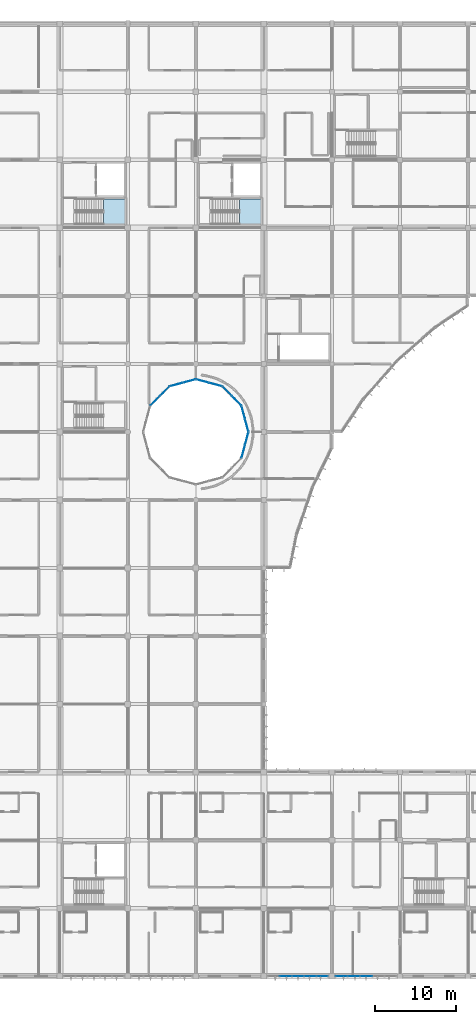
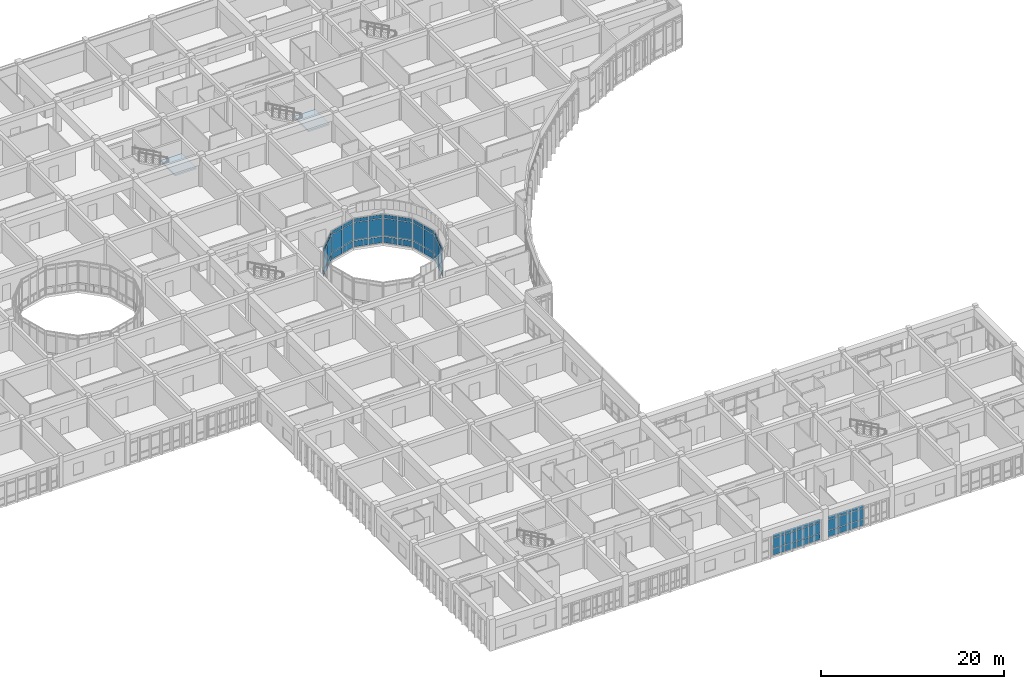
# One storey, part 68 of 119: 57 plates, 2 slabs, 10 elements without a shape of their own.
"""IFC4 building model written with IfcOpenShell, lengths in metres."""

import ifcopenshell
import ifcopenshell.guid

model = None  # the IFC model being written
_history = None  # IfcOwnerHistory: only IFC2X3 demands one
_inside = {}  # id of a spatial element -> (the spatial element, [elements in it])
_under = {}  # id of a project, library or spatial element -> (it, [spatial elements below it])
_declared = {}  # id of a project -> (the project, [libraries it declares])
_typed = {}  # id of a type object -> (the type object, [elements of that type])
_made_of = {}  # id of a material, layer set ... -> (it, [elements and type objects made of it])


def new_model(schema):
    """Start an empty IFC model of exactly this schema.

    Asked for "IFC4X3", IfcOpenShell would pick the latest addendum, in which some entities
    have other attributes; the version numbers below select the first issue.
    IFC2X3 requires an IfcOwnerHistory on every rooted entity: one is made here for all.
    """
    global model, _history
    if schema == "IFC4X3":
        model = ifcopenshell.file(schema_version=(4, 3, 0, 0))
    else:
        model = ifcopenshell.file(schema=schema)
    _inside.clear()
    _under.clear()
    _declared.clear()
    _typed.clear()
    _made_of.clear()
    _history = None
    if model.schema == "IFC2X3":
        org = make("IfcOrganization", Name="unknown")
        user = make(
            "IfcPersonAndOrganization",
            ThePerson=make("IfcPerson", FamilyName="unknown"),
            TheOrganization=org,
        )
        app = make(
            "IfcApplication",
            ApplicationDeveloper=org,
            Version="unknown",
            ApplicationFullName="unknown",
            ApplicationIdentifier="unknown",
        )
        _history = make(
            "IfcOwnerHistory",
            OwningUser=user,
            OwningApplication=app,
            ChangeAction="ADDED",
            CreationDate=0,
        )
    return model


def make(cls, **values):
    """One entity of the class cls with the attributes given. An attribute that is None is left unset."""
    return model.create_entity(
        cls, **{name: value for name, value in values.items() if value is not None}
    )


def rooted(cls, **values):
    """An entity with a GlobalId (a new one), such as an element, a storey or a relation."""
    return make(cls, GlobalId=ifcopenshell.guid.new(), OwnerHistory=_history, **values)


def si_unit(unit_type, name, prefix=None):
    """IfcSIUnit, for example si_unit("LENGTHUNIT", "METRE", prefix="MILLI")."""
    return make("IfcSIUnit", UnitType=unit_type, Prefix=prefix, Name=name)


def assignment(units):
    """IfcUnitAssignment: the units of a project."""
    return None if units is None else make("IfcUnitAssignment", Units=units)


def point(xyz):
    """IfcCartesianPoint."""
    return None if xyz is None else make("IfcCartesianPoint", Coordinates=xyz)


def direction(xyz):
    """IfcDirection."""
    return None if xyz is None else make("IfcDirection", DirectionRatios=xyz)


def frame(location, z_axis=None, x_axis=None):
    """IfcAxis2Placement3D, a coordinate frame: its origin and axes. An axis left out is left unset."""
    return make(
        "IfcAxis2Placement3D",
        Location=point(location),
        Axis=direction(z_axis),
        RefDirection=direction(x_axis),
    )


def frame_2d(location, x_axis=None):
    """IfcAxis2Placement2D, a coordinate frame in the plane: its origin and x axis."""
    return make(
        "IfcAxis2Placement2D", Location=point(location), RefDirection=direction(x_axis)
    )


def origin():
    """The frame at (0, 0, 0) with its axes left unset."""
    return frame((0.0, 0.0, 0.0))


def origin_2d():
    """The frame at (0, 0) in the plane with its x axis left unset."""
    return frame_2d((0.0, 0.0))


def place(relative_to, where):
    """IfcLocalPlacement: puts the frame where relative to a parent placement (None: the world)."""
    return make(
        "IfcLocalPlacement", PlacementRelTo=relative_to, RelativePlacement=where
    )


def context(
    kind, dimensions, precision=None, world=None, true_north=None, identifier=None
):
    """IfcGeometricRepresentationContext, for example the 3D "Model" context."""
    return make(
        "IfcGeometricRepresentationContext",
        ContextIdentifier=identifier,
        ContextType=kind,
        CoordinateSpaceDimension=dimensions,
        Precision=precision,
        WorldCoordinateSystem=world,
        TrueNorth=true_north,
    )


def subcontext(parent, identifier, kind, view, scale=None):
    """IfcGeometricRepresentationSubContext, for example "Body" below "Model"."""
    return make(
        "IfcGeometricRepresentationSubContext",
        ContextIdentifier=identifier,
        ContextType=kind,
        ParentContext=parent,
        TargetScale=scale,
        TargetView=view,
    )


def project(units=None, contexts=None):
    """IfcProject with its units and contexts."""
    return rooted(
        "IfcProject",
        Name="project",
        RepresentationContexts=contexts,
        UnitsInContext=assignment(units),
    )


def spatial(cls, under=None, at=None, **own):
    """A site, building, storey or space (cls), placed at a placement, below another one or the project."""
    s = rooted(cls, ObjectPlacement=at, **own)
    if under is not None:
        _under.setdefault(under.id(), (under, []))[1].append(s)
    return s


def polyline(points):
    """IfcPolyline through the points."""
    return make("IfcPolyline", Points=[point(p) for p in points])


def profile(cls, at=None, kind="AREA", **sizes):
    """A parametric profile (cls). Its sizes go by their IFC names, for example OverallWidth=200.0."""
    return make(cls, ProfileType=kind, Position=at, **sizes)


def rectangle(**sizes):
    """IfcRectangleProfileDef."""
    return profile("IfcRectangleProfileDef", **sizes)


def outline(outer, holes=None, kind="AREA"):
    """IfcArbitraryClosedProfileDef: a profile drawn as a closed curve; with holes, ...WithVoids."""
    if holes is None:
        return make("IfcArbitraryClosedProfileDef", ProfileType=kind, OuterCurve=outer)
    return make(
        "IfcArbitraryProfileDefWithVoids",
        ProfileType=kind,
        OuterCurve=outer,
        InnerCurves=holes,
    )


def extrude(swept, where, along, depth):
    """IfcExtrudedAreaSolid: the profile swept, set in the frame where, extruded along a direction by depth."""
    return make(
        "IfcExtrudedAreaSolid",
        SweptArea=swept,
        Position=where,
        ExtrudedDirection=direction(along),
        Depth=depth,
    )


def shape(context_of_items, identifier, shape_type, items):
    """IfcShapeRepresentation: the items that make up one representation, for example the "Body"."""
    return make(
        "IfcShapeRepresentation",
        ContextOfItems=context_of_items,
        RepresentationIdentifier=identifier,
        RepresentationType=shape_type,
        Items=items,
    )


def material(Name=None, Category=None):
    """IfcMaterial."""
    return make("IfcMaterial", Name=Name, Category=Category)


def layer(
    of_material, thickness, ventilated=None, Name=None, Category=None, Priority=None
):
    """IfcMaterialLayer: one layer of a wall or slab, of a material (None: an air gap)."""
    return make(
        "IfcMaterialLayer",
        Material=of_material,
        LayerThickness=thickness,
        IsVentilated=ventilated,
        Name=Name,
        Category=Category,
        Priority=Priority,
    )


def layer_set(layers, Name=None):
    """IfcMaterialLayerSet."""
    return make("IfcMaterialLayerSet", MaterialLayers=layers, LayerSetName=Name)


def made_of(thing, what):
    """Note that an element or type object is made of a material, layer set ...; save() writes the relation."""
    if what is not None:
        _made_of.setdefault(what.id(), (what, []))[1].append(thing)
    return thing


def type_object(cls, material=None, **own):
    """A type object (cls), such as IfcWallType, which elements share."""
    return made_of(rooted(cls, **own), material)


def element(
    cls,
    number,
    at=None,
    inside=None,
    cuts=None,
    type_object=None,
    material=None,
    context=None,
    identifier="Body",
    shape_type=None,
    held_by="IfcProductDefinitionShape",
    body=None,
    shapes=None,
    **own,
):
    """One element of the class cls, such as IfcWall. Its Tag is "e" and its number.

    at: its placement. inside: the storey or other place that contains it. cuts: it is an
    opening in that element (IfcRelVoidsElement). A single representation is given by context,
    identifier, shape_type and body (its items); several are given by shapes. held_by: the class
    of the entity that holds the representations. save() writes the other relations.
    """
    e = rooted(cls, Tag="e%d" % number, ObjectPlacement=at, **own)
    if body is not None:
        shapes = [shape(context, identifier, shape_type, body)]
    if shapes is not None:
        e.Representation = make(held_by, Representations=shapes)
    if inside is not None:
        _inside.setdefault(inside.id(), (inside, []))[1].append(e)
    if cuts is not None:
        rooted(
            "IfcRelVoidsElement", RelatingBuildingElement=cuts, RelatedOpeningElement=e
        )
    if type_object is not None:
        _typed.setdefault(type_object.id(), (type_object, []))[1].append(e)
    return made_of(e, material)


def aggregate(whole, parts):
    """IfcRelAggregates: a whole, such as a stair, and the parts it consists of."""
    return rooted("IfcRelAggregates", RelatingObject=whole, RelatedObjects=parts)


def save(model, path):
    """Write the relations noted so far, then the file.

    IfcRelAggregates (storeys below a building ...), IfcRelContainedInSpatialStructure (elements
    in a storey), IfcRelDefinesByType, IfcRelAssociatesMaterial and IfcRelDeclares: one each for
    every whole, place, type object, material and project.
    """
    for whole, parts in _under.values():
        aggregate(whole, parts)
    for where, things in _inside.values():
        rooted(
            "IfcRelContainedInSpatialStructure",
            RelatedElements=things,
            RelatingStructure=where,
        )
    for kind, things in _typed.values():
        rooted("IfcRelDefinesByType", RelatedObjects=things, RelatingType=kind)
    for what, things in _made_of.values():
        rooted("IfcRelAssociatesMaterial", RelatedObjects=things, RelatingMaterial=what)
    for by, libraries in _declared.values():
        rooted("IfcRelDeclares", RelatingContext=by, RelatedDefinitions=libraries)
    model.write(path)


model = new_model("IFC4")

# Units and contexts
model_context = context("Model", 3, precision=1e-05, world=origin(), true_north=direction((0.0, 1.0)))
body_context = subcontext(model_context, "Body", "Model", "MODEL_VIEW")
ifc_project = project(units=[si_unit("LENGTHUNIT", "METRE"), si_unit("AREAUNIT", "SQUARE_METRE"), si_unit("VOLUMEUNIT", "CUBIC_METRE"), si_unit("PLANEANGLEUNIT", "RADIAN"), si_unit("MASSUNIT", "GRAM", prefix="KILO")], contexts=[model_context])

# Site, building, storey
site_placement = place(None, origin())
site = spatial("IfcSite", under=ifc_project, at=site_placement, CompositionType="ELEMENT")
building_placement = place(site_placement, origin())
building = spatial("IfcBuilding", under=site, at=building_placement, Name="Bramfleet General Hospital", CompositionType="ELEMENT")
storey_placement = place(building_placement, frame((0.0, 0.0, 14.39990234375)))
storey = spatial("IfcBuildingStorey", under=building, at=storey_placement, Name="L03", CompositionType="ELEMENT", Elevation=14.39990234375)

# Curtain wall, plates
ifc_material_1 = material(Name="Anodised aluminium and low-E triple glazing", Category="aluminium")
ifc_layer_1 = layer(ifc_material_1, 0.179931640625, Name="CWT-CW-14")
ifc_layer_set_1 = layer_set([ifc_layer_1], Name="Anodised aluminium and low-E triple glazing")
curtain_wall_type_1 = type_object("IfcCurtainWallType", Name="CWT-CW-14", PredefinedType="USERDEFINED", material=ifc_layer_set_1)
curtain_wall_1_placement = place(storey_placement, origin())
curtain_wall_1 = element("IfcCurtainWall", 1, at=curtain_wall_1_placement, inside=storey, type_object=curtain_wall_type_1, Name="L03 East Laboratory Light Court Curtain Wall 6.1", ObjectType="Stick curtain wall", PredefinedType="USERDEFINED")
ifc_material_2 = material(Name="Low-E laminated safety glass", Category="glass")
ifc_layer_2 = layer(ifc_material_2, 0.031982421875, Name="CWP-GLZ-2")
ifc_layer_set_2 = layer_set([ifc_layer_2], Name="Low-E laminated safety glass")
plate_type_1 = type_object("IfcPlateType", Name="CWP-GLZ-2", PredefinedType="CURTAIN_PANEL", material=ifc_layer_set_2)
plate_1_placement = place(storey_placement, frame((123.451171875, 64.779296875, 0.06494140625), z_axis=(0.0, 0.0, 1.0), x_axis=(0.258864833085, 0.965913556273, 0.0)))
plate_1 = element("IfcPlate", 2, at=plate_1_placement, type_object=plate_type_1, Name="CW-14 panel 1.1", PredefinedType="CURTAIN_PANEL", context=body_context, shape_type="SweptSolid", body=[
    extrude(rectangle(XDim=1.577392578125, YDim=0.031982421875, at=origin_2d()), origin(), (0.0, 0.0, 1.0), 0.802490234375),
])
plate_2_placement = place(storey_placement, frame((123.451171875, 64.779296875, 0.9326171875), z_axis=(0.0, 0.0, 1.0), x_axis=(0.258864833085, 0.965913556273, 0.0)))
plate_2 = element("IfcPlate", 3, at=plate_2_placement, type_object=plate_type_1, Name="CW-14 panel 1.2", PredefinedType="CURTAIN_PANEL", context=body_context, shape_type="SweptSolid", body=[
    extrude(rectangle(XDim=1.577392578125, YDim=0.031982421875, at=origin_2d()), origin(), (0.0, 0.0, 1.0), 2.375),
])
plate_3_placement = place(storey_placement, frame((123.451171875, 64.779296875, 3.37255859375), z_axis=(0.0, 0.0, 1.0), x_axis=(0.258864833085, 0.965913556273, 0.0)))
plate_3 = element("IfcPlate", 4, at=plate_3_placement, type_object=plate_type_1, Name="CW-14 panel 1.3", PredefinedType="CURTAIN_PANEL", context=body_context, shape_type="SweptSolid", body=[
    extrude(rectangle(XDim=1.577392578125, YDim=0.031982421875, at=origin_2d()), origin(), (0.0, 0.0, 1.0), 0.452392578125),
])
plate_4_placement = place(storey_placement, frame((123.877685546875, 66.37060546875, 0.06494140625), z_axis=(0.0, 0.0, 1.0), x_axis=(0.258864833085, 0.965913556273, 0.0)))
plate_4 = element("IfcPlate", 5, at=plate_4_placement, type_object=plate_type_1, Name="CW-14 panel 2.1", PredefinedType="CURTAIN_PANEL", context=body_context, shape_type="SweptSolid", body=[
    extrude(rectangle(XDim=1.577392578125, YDim=0.031982421875, at=origin_2d()), origin(), (0.0, 0.0, 1.0), 0.802490234375),
])
plate_5_placement = place(storey_placement, frame((123.877685546875, 66.37060546875, 0.9326171875), z_axis=(0.0, 0.0, 1.0), x_axis=(0.258864833085, 0.965913556273, 0.0)))
plate_5 = element("IfcPlate", 6, at=plate_5_placement, type_object=plate_type_1, Name="CW-14 panel 2.2", PredefinedType="CURTAIN_PANEL", context=body_context, shape_type="SweptSolid", body=[
    extrude(rectangle(XDim=1.577392578125, YDim=0.031982421875, at=origin_2d()), origin(), (0.0, 0.0, 1.0), 2.375),
])
plate_6_placement = place(storey_placement, frame((123.877685546875, 66.37060546875, 3.37255859375), z_axis=(0.0, 0.0, 1.0), x_axis=(0.258864833085, 0.965913556273, 0.0)))
plate_6 = element("IfcPlate", 7, at=plate_6_placement, type_object=plate_type_1, Name="CW-14 panel 2.3", PredefinedType="CURTAIN_PANEL", context=body_context, shape_type="SweptSolid", body=[
    extrude(rectangle(XDim=1.577392578125, YDim=0.031982421875, at=origin_2d()), origin(), (0.0, 0.0, 1.0), 0.452392578125),
])
aggregate(curtain_wall_1, [plate_1, plate_2, plate_3, plate_4, plate_5, plate_6])

ifc_layer_3 = layer(ifc_material_1, 0.179931640625, Name="CWT-CW-15")
ifc_layer_set_3 = layer_set([ifc_layer_3], Name="Anodised aluminium and low-E triple glazing")
curtain_wall_type_2 = type_object("IfcCurtainWallType", Name="CWT-CW-15", PredefinedType="USERDEFINED", material=ifc_layer_set_3)
curtain_wall_2_placement = place(storey_placement, origin())
curtain_wall_2 = element("IfcCurtainWall", 8, at=curtain_wall_2_placement, inside=storey, type_object=curtain_wall_type_2, Name="L03 East Laboratory Light Court Curtain Wall 7.1", ObjectType="Stick curtain wall", PredefinedType="USERDEFINED")
plate_7_placement = place(storey_placement, frame((123.877685546875, 68.029296875, 0.06494140625), z_axis=(0.0, 0.0, 1.0), x_axis=(-0.258864833085, 0.965913556273, 0.0)))
plate_7 = element("IfcPlate", 9, at=plate_7_placement, type_object=plate_type_1, Name="CW-15 panel 1.1", PredefinedType="CURTAIN_PANEL", context=body_context, shape_type="SweptSolid", body=[
    extrude(rectangle(XDim=1.577392578125, YDim=0.031982421875, at=origin_2d()), origin(), (0.0, 0.0, 1.0), 0.802490234375),
])
plate_8_placement = place(storey_placement, frame((123.877685546875, 68.029296875, 0.9326171875), z_axis=(0.0, 0.0, 1.0), x_axis=(-0.258864833085, 0.965913556273, 0.0)))
plate_8 = element("IfcPlate", 10, at=plate_8_placement, type_object=plate_type_1, Name="CW-15 panel 1.2", PredefinedType="CURTAIN_PANEL", context=body_context, shape_type="SweptSolid", body=[
    extrude(rectangle(XDim=1.577392578125, YDim=0.031982421875, at=origin_2d()), origin(), (0.0, 0.0, 1.0), 2.375),
])
plate_9_placement = place(storey_placement, frame((123.877685546875, 68.029296875, 3.37255859375), z_axis=(0.0, 0.0, 1.0), x_axis=(-0.258864833085, 0.965913556273, 0.0)))
plate_9 = element("IfcPlate", 11, at=plate_9_placement, type_object=plate_type_1, Name="CW-15 panel 1.3", PredefinedType="CURTAIN_PANEL", context=body_context, shape_type="SweptSolid", body=[
    extrude(rectangle(XDim=1.577392578125, YDim=0.031982421875, at=origin_2d()), origin(), (0.0, 0.0, 1.0), 0.452392578125),
])
plate_10_placement = place(storey_placement, frame((123.451171875, 69.62060546875, 0.06494140625), z_axis=(0.0, 0.0, 1.0), x_axis=(-0.258864833085, 0.965913556273, 0.0)))
plate_10 = element("IfcPlate", 12, at=plate_10_placement, type_object=plate_type_1, Name="CW-15 panel 2.1", PredefinedType="CURTAIN_PANEL", context=body_context, shape_type="SweptSolid", body=[
    extrude(rectangle(XDim=1.577392578125, YDim=0.031982421875, at=origin_2d()), origin(), (0.0, 0.0, 1.0), 0.802490234375),
])
plate_11_placement = place(storey_placement, frame((123.451171875, 69.62060546875, 0.9326171875), z_axis=(0.0, 0.0, 1.0), x_axis=(-0.258864833085, 0.965913556273, 0.0)))
plate_11 = element("IfcPlate", 13, at=plate_11_placement, type_object=plate_type_1, Name="CW-15 panel 2.2", PredefinedType="CURTAIN_PANEL", context=body_context, shape_type="SweptSolid", body=[
    extrude(rectangle(XDim=1.577392578125, YDim=0.031982421875, at=origin_2d()), origin(), (0.0, 0.0, 1.0), 2.375),
])
plate_12_placement = place(storey_placement, frame((123.451171875, 69.62060546875, 3.37255859375), z_axis=(0.0, 0.0, 1.0), x_axis=(-0.258864833085, 0.965913556273, 0.0)))
plate_12 = element("IfcPlate", 14, at=plate_12_placement, type_object=plate_type_1, Name="CW-15 panel 2.3", PredefinedType="CURTAIN_PANEL", context=body_context, shape_type="SweptSolid", body=[
    extrude(rectangle(XDim=1.577392578125, YDim=0.031982421875, at=origin_2d()), origin(), (0.0, 0.0, 1.0), 0.452392578125),
])
aggregate(curtain_wall_2, [plate_7, plate_8, plate_9, plate_10, plate_11, plate_12])

ifc_layer_4 = layer(ifc_material_1, 0.179931640625, Name="CWT-CW-16")
ifc_layer_set_4 = layer_set([ifc_layer_4], Name="Anodised aluminium and low-E triple glazing")
curtain_wall_type_3 = type_object("IfcCurtainWallType", Name="CWT-CW-16", PredefinedType="USERDEFINED", material=ifc_layer_set_4)
curtain_wall_3_placement = place(storey_placement, origin())
curtain_wall_3 = element("IfcCurtainWall", 15, at=curtain_wall_3_placement, inside=storey, type_object=curtain_wall_type_3, Name="L03 East Laboratory Light Court Curtain Wall 8.1", ObjectType="Stick curtain wall", PredefinedType="USERDEFINED")
plate_13_placement = place(storey_placement, frame((122.621826171875, 71.05712890625, 0.06494140625), z_axis=(0.0, 0.0, 1.0), x_axis=(-0.707106781187, 0.707106781187, 0.0)))
plate_13 = element("IfcPlate", 16, at=plate_13_placement, type_object=plate_type_1, Name="CW-16 panel 1.1", PredefinedType="CURTAIN_PANEL", context=body_context, shape_type="SweptSolid", body=[
    extrude(rectangle(XDim=1.5771484375, YDim=0.031982421875, at=origin_2d()), origin(), (0.0, 0.0, 1.0), 0.802490234375),
])
plate_14_placement = place(storey_placement, frame((122.621826171875, 71.05712890625, 0.9326171875), z_axis=(0.0, 0.0, 1.0), x_axis=(-0.707106781187, 0.707106781187, 0.0)))
plate_14 = element("IfcPlate", 17, at=plate_14_placement, type_object=plate_type_1, Name="CW-16 panel 1.2", PredefinedType="CURTAIN_PANEL", context=body_context, shape_type="SweptSolid", body=[
    extrude(rectangle(XDim=1.5771484375, YDim=0.031982421875, at=origin_2d()), origin(), (0.0, 0.0, 1.0), 2.375),
])
plate_15_placement = place(storey_placement, frame((122.621826171875, 71.05712890625, 3.37255859375), z_axis=(0.0, 0.0, 1.0), x_axis=(-0.707106781187, 0.707106781187, 0.0)))
plate_15 = element("IfcPlate", 18, at=plate_15_placement, type_object=plate_type_1, Name="CW-16 panel 1.3", PredefinedType="CURTAIN_PANEL", context=body_context, shape_type="SweptSolid", body=[
    extrude(rectangle(XDim=1.5771484375, YDim=0.031982421875, at=origin_2d()), origin(), (0.0, 0.0, 1.0), 0.452392578125),
])
plate_16_placement = place(storey_placement, frame((121.45703125, 72.221923828125, 0.06494140625), z_axis=(0.0, 0.0, 1.0), x_axis=(-0.707106781187, 0.707106781187, 0.0)))
plate_16 = element("IfcPlate", 19, at=plate_16_placement, type_object=plate_type_1, Name="CW-16 panel 2.1", PredefinedType="CURTAIN_PANEL", context=body_context, shape_type="SweptSolid", body=[
    extrude(rectangle(XDim=1.5771484375, YDim=0.031982421875, at=origin_2d()), origin(), (0.0, 0.0, 1.0), 0.802490234375),
])
plate_17_placement = place(storey_placement, frame((121.45703125, 72.221923828125, 0.9326171875), z_axis=(0.0, 0.0, 1.0), x_axis=(-0.707106781187, 0.707106781187, 0.0)))
plate_17 = element("IfcPlate", 20, at=plate_17_placement, type_object=plate_type_1, Name="CW-16 panel 2.2", PredefinedType="CURTAIN_PANEL", context=body_context, shape_type="SweptSolid", body=[
    extrude(rectangle(XDim=1.5771484375, YDim=0.031982421875, at=origin_2d()), origin(), (0.0, 0.0, 1.0), 2.375),
])
plate_18_placement = place(storey_placement, frame((121.45703125, 72.221923828125, 3.37255859375), z_axis=(0.0, 0.0, 1.0), x_axis=(-0.707106781187, 0.707106781187, 0.0)))
plate_18 = element("IfcPlate", 21, at=plate_18_placement, type_object=plate_type_1, Name="CW-16 panel 2.3", PredefinedType="CURTAIN_PANEL", context=body_context, shape_type="SweptSolid", body=[
    extrude(rectangle(XDim=1.5771484375, YDim=0.031982421875, at=origin_2d()), origin(), (0.0, 0.0, 1.0), 0.452392578125),
])
aggregate(curtain_wall_3, [plate_13, plate_14, plate_15, plate_16, plate_17, plate_18])

ifc_layer_5 = layer(ifc_material_1, 0.179931640625, Name="CWT-CW-17")
ifc_layer_set_5 = layer_set([ifc_layer_5], Name="Anodised aluminium and low-E triple glazing")
curtain_wall_type_4 = type_object("IfcCurtainWallType", Name="CWT-CW-17", PredefinedType="USERDEFINED", material=ifc_layer_set_5)
curtain_wall_4_placement = place(storey_placement, origin())
curtain_wall_4 = element("IfcCurtainWall", 22, at=curtain_wall_4_placement, inside=storey, type_object=curtain_wall_type_4, Name="L03 East Laboratory Light Court Curtain Wall 9.1", ObjectType="Stick curtain wall", PredefinedType="USERDEFINED")
plate_19_placement = place(storey_placement, frame((120.0205078125, 73.05126953125, 0.06494140625), z_axis=(0.0, 0.0, 1.0), x_axis=(-0.965913556273, 0.258864833085, 0.0)))
plate_19 = element("IfcPlate", 23, at=plate_19_placement, type_object=plate_type_1, Name="CW-17 panel 1.1", PredefinedType="CURTAIN_PANEL", context=body_context, shape_type="SweptSolid", body=[
    extrude(rectangle(XDim=1.577392578125, YDim=0.031982421875, at=origin_2d()), origin(), (0.0, 0.0, 1.0), 0.802490234375),
])
plate_20_placement = place(storey_placement, frame((120.0205078125, 73.05126953125, 0.9326171875), z_axis=(0.0, 0.0, 1.0), x_axis=(-0.965913556273, 0.258864833085, 0.0)))
plate_20 = element("IfcPlate", 24, at=plate_20_placement, type_object=plate_type_1, Name="CW-17 panel 1.2", PredefinedType="CURTAIN_PANEL", context=body_context, shape_type="SweptSolid", body=[
    extrude(rectangle(XDim=1.577392578125, YDim=0.031982421875, at=origin_2d()), origin(), (0.0, 0.0, 1.0), 2.375),
])
plate_21_placement = place(storey_placement, frame((120.0205078125, 73.05126953125, 3.37255859375), z_axis=(0.0, 0.0, 1.0), x_axis=(-0.965913556273, 0.258864833085, 0.0)))
plate_21 = element("IfcPlate", 25, at=plate_21_placement, type_object=plate_type_1, Name="CW-17 panel 1.3", PredefinedType="CURTAIN_PANEL", context=body_context, shape_type="SweptSolid", body=[
    extrude(rectangle(XDim=1.577392578125, YDim=0.031982421875, at=origin_2d()), origin(), (0.0, 0.0, 1.0), 0.452392578125),
])
plate_22_placement = place(storey_placement, frame((118.429443359375, 73.477783203125, 0.06494140625), z_axis=(0.0, 0.0, 1.0), x_axis=(-0.965913556273, 0.258864833085, 0.0)))
plate_22 = element("IfcPlate", 26, at=plate_22_placement, type_object=plate_type_1, Name="CW-17 panel 2.1", PredefinedType="CURTAIN_PANEL", context=body_context, shape_type="SweptSolid", body=[
    extrude(rectangle(XDim=1.577392578125, YDim=0.031982421875, at=origin_2d()), origin(), (0.0, 0.0, 1.0), 0.802490234375),
])
plate_23_placement = place(storey_placement, frame((118.429443359375, 73.477783203125, 0.9326171875), z_axis=(0.0, 0.0, 1.0), x_axis=(-0.965913556273, 0.258864833085, 0.0)))
plate_23 = element("IfcPlate", 27, at=plate_23_placement, type_object=plate_type_1, Name="CW-17 panel 2.2", PredefinedType="CURTAIN_PANEL", context=body_context, shape_type="SweptSolid", body=[
    extrude(rectangle(XDim=1.577392578125, YDim=0.031982421875, at=origin_2d()), origin(), (0.0, 0.0, 1.0), 2.375),
])
plate_24_placement = place(storey_placement, frame((118.429443359375, 73.477783203125, 3.37255859375), z_axis=(0.0, 0.0, 1.0), x_axis=(-0.965913556273, 0.258864833085, 0.0)))
plate_24 = element("IfcPlate", 28, at=plate_24_placement, type_object=plate_type_1, Name="CW-17 panel 2.3", PredefinedType="CURTAIN_PANEL", context=body_context, shape_type="SweptSolid", body=[
    extrude(rectangle(XDim=1.577392578125, YDim=0.031982421875, at=origin_2d()), origin(), (0.0, 0.0, 1.0), 0.452392578125),
])
aggregate(curtain_wall_4, [plate_19, plate_20, plate_21, plate_22, plate_23, plate_24])

ifc_layer_6 = layer(ifc_material_1, 0.179931640625, Name="CWT-CW-18")
ifc_layer_set_6 = layer_set([ifc_layer_6], Name="Anodised aluminium and low-E triple glazing")
curtain_wall_type_5 = type_object("IfcCurtainWallType", Name="CWT-CW-18", PredefinedType="USERDEFINED", material=ifc_layer_set_6)
curtain_wall_5_placement = place(storey_placement, origin())
curtain_wall_5 = element("IfcCurtainWall", 29, at=curtain_wall_5_placement, inside=storey, type_object=curtain_wall_type_5, Name="L03 East Laboratory Light Court Curtain Wall 10.1", ObjectType="Stick curtain wall", PredefinedType="USERDEFINED")
plate_25_placement = place(storey_placement, frame((116.7705078125, 73.477783203125, 0.06494140625), z_axis=(0.0, 0.0, 1.0), x_axis=(-0.965913556273, -0.258864833085, 0.0)))
plate_25 = element("IfcPlate", 30, at=plate_25_placement, type_object=plate_type_1, Name="CW-18 panel 1.1", PredefinedType="CURTAIN_PANEL", context=body_context, shape_type="SweptSolid", body=[
    extrude(rectangle(XDim=1.577392578125, YDim=0.031982421875, at=origin_2d()), origin(), (0.0, 0.0, 1.0), 0.802490234375),
])
plate_26_placement = place(storey_placement, frame((116.7705078125, 73.477783203125, 0.9326171875), z_axis=(0.0, 0.0, 1.0), x_axis=(-0.965913556273, -0.258864833085, 0.0)))
plate_26 = element("IfcPlate", 31, at=plate_26_placement, type_object=plate_type_1, Name="CW-18 panel 1.2", PredefinedType="CURTAIN_PANEL", context=body_context, shape_type="SweptSolid", body=[
    extrude(rectangle(XDim=1.577392578125, YDim=0.031982421875, at=origin_2d()), origin(), (0.0, 0.0, 1.0), 2.375),
])
plate_27_placement = place(storey_placement, frame((116.7705078125, 73.477783203125, 3.37255859375), z_axis=(0.0, 0.0, 1.0), x_axis=(-0.965913556273, -0.258864833085, 0.0)))
plate_27 = element("IfcPlate", 32, at=plate_27_placement, type_object=plate_type_1, Name="CW-18 panel 1.3", PredefinedType="CURTAIN_PANEL", context=body_context, shape_type="SweptSolid", body=[
    extrude(rectangle(XDim=1.577392578125, YDim=0.031982421875, at=origin_2d()), origin(), (0.0, 0.0, 1.0), 0.452392578125),
])
plate_28_placement = place(storey_placement, frame((115.179443359375, 73.05126953125, 0.06494140625), z_axis=(0.0, 0.0, 1.0), x_axis=(-0.965913556273, -0.258864833085, 0.0)))
plate_28 = element("IfcPlate", 33, at=plate_28_placement, type_object=plate_type_1, Name="CW-18 panel 2.1", PredefinedType="CURTAIN_PANEL", context=body_context, shape_type="SweptSolid", body=[
    extrude(rectangle(XDim=1.577392578125, YDim=0.031982421875, at=origin_2d()), origin(), (0.0, 0.0, 1.0), 0.802490234375),
])
plate_29_placement = place(storey_placement, frame((115.179443359375, 73.05126953125, 0.9326171875), z_axis=(0.0, 0.0, 1.0), x_axis=(-0.965913556273, -0.258864833085, 0.0)))
plate_29 = element("IfcPlate", 34, at=plate_29_placement, type_object=plate_type_1, Name="CW-18 panel 2.2", PredefinedType="CURTAIN_PANEL", context=body_context, shape_type="SweptSolid", body=[
    extrude(rectangle(XDim=1.577392578125, YDim=0.031982421875, at=origin_2d()), origin(), (0.0, 0.0, 1.0), 2.375),
])
plate_30_placement = place(storey_placement, frame((115.179443359375, 73.05126953125, 3.37255859375), z_axis=(0.0, 0.0, 1.0), x_axis=(-0.965913556273, -0.258864833085, 0.0)))
plate_30 = element("IfcPlate", 35, at=plate_30_placement, type_object=plate_type_1, Name="CW-18 panel 2.3", PredefinedType="CURTAIN_PANEL", context=body_context, shape_type="SweptSolid", body=[
    extrude(rectangle(XDim=1.577392578125, YDim=0.031982421875, at=origin_2d()), origin(), (0.0, 0.0, 1.0), 0.452392578125),
])
aggregate(curtain_wall_5, [plate_25, plate_26, plate_27, plate_28, plate_29, plate_30])

ifc_layer_7 = layer(ifc_material_1, 0.179931640625, Name="CWT-CW-11")
ifc_layer_set_7 = layer_set([ifc_layer_7], Name="Anodised aluminium and low-E triple glazing")
curtain_wall_type_6 = type_object("IfcCurtainWallType", Name="CWT-CW-11", PredefinedType="USERDEFINED", material=ifc_layer_set_7)
curtain_wall_6_placement = place(storey_placement, origin())
curtain_wall_6 = element("IfcCurtainWall", 36, at=curtain_wall_6_placement, inside=storey, type_object=curtain_wall_type_6, Name="L03 East Laboratory Light Court Curtain Wall 11.1", ObjectType="Stick curtain wall", PredefinedType="USERDEFINED")
plate_31_placement = place(storey_placement, frame((113.742919921875, 72.221923828125, 0.06494140625), z_axis=(0.0, 0.0, 1.0), x_axis=(-0.707106781187, -0.707106781187, 0.0)))
plate_31 = element("IfcPlate", 37, at=plate_31_placement, type_object=plate_type_1, Name="CW-11 panel 1.1", PredefinedType="CURTAIN_PANEL", context=body_context, shape_type="SweptSolid", body=[
    extrude(rectangle(XDim=1.5771484375, YDim=0.031982421875, at=origin_2d()), origin(), (0.0, 0.0, 1.0), 0.802490234375),
])
plate_32_placement = place(storey_placement, frame((113.742919921875, 72.221923828125, 0.9326171875), z_axis=(0.0, 0.0, 1.0), x_axis=(-0.707106781187, -0.707106781187, 0.0)))
plate_32 = element("IfcPlate", 38, at=plate_32_placement, type_object=plate_type_1, Name="CW-11 panel 1.2", PredefinedType="CURTAIN_PANEL", context=body_context, shape_type="SweptSolid", body=[
    extrude(rectangle(XDim=1.5771484375, YDim=0.031982421875, at=origin_2d()), origin(), (0.0, 0.0, 1.0), 2.375),
])
plate_33_placement = place(storey_placement, frame((113.742919921875, 72.221923828125, 3.37255859375), z_axis=(0.0, 0.0, 1.0), x_axis=(-0.707106781187, -0.707106781187, 0.0)))
plate_33 = element("IfcPlate", 39, at=plate_33_placement, type_object=plate_type_1, Name="CW-11 panel 1.3", PredefinedType="CURTAIN_PANEL", context=body_context, shape_type="SweptSolid", body=[
    extrude(rectangle(XDim=1.5771484375, YDim=0.031982421875, at=origin_2d()), origin(), (0.0, 0.0, 1.0), 0.452392578125),
])
plate_34_placement = place(storey_placement, frame((112.578125, 71.05712890625, 0.06494140625), z_axis=(0.0, 0.0, 1.0), x_axis=(-0.707106781187, -0.707106781187, 0.0)))
plate_34 = element("IfcPlate", 40, at=plate_34_placement, type_object=plate_type_1, Name="CW-11 panel 2.1", PredefinedType="CURTAIN_PANEL", context=body_context, shape_type="SweptSolid", body=[
    extrude(rectangle(XDim=1.5771484375, YDim=0.031982421875, at=origin_2d()), origin(), (0.0, 0.0, 1.0), 0.802490234375),
])
plate_35_placement = place(storey_placement, frame((112.578125, 71.05712890625, 0.9326171875), z_axis=(0.0, 0.0, 1.0), x_axis=(-0.707106781187, -0.707106781187, 0.0)))
plate_35 = element("IfcPlate", 41, at=plate_35_placement, type_object=plate_type_1, Name="CW-11 panel 2.2", PredefinedType="CURTAIN_PANEL", context=body_context, shape_type="SweptSolid", body=[
    extrude(rectangle(XDim=1.5771484375, YDim=0.031982421875, at=origin_2d()), origin(), (0.0, 0.0, 1.0), 2.375),
])
plate_36_placement = place(storey_placement, frame((112.578125, 71.05712890625, 3.37255859375), z_axis=(0.0, 0.0, 1.0), x_axis=(-0.707106781187, -0.707106781187, 0.0)))
plate_36 = element("IfcPlate", 42, at=plate_36_placement, type_object=plate_type_1, Name="CW-11 panel 2.3", PredefinedType="CURTAIN_PANEL", context=body_context, shape_type="SweptSolid", body=[
    extrude(rectangle(XDim=1.5771484375, YDim=0.031982421875, at=origin_2d()), origin(), (0.0, 0.0, 1.0), 0.452392578125),
])
aggregate(curtain_wall_6, [plate_31, plate_32, plate_33, plate_34, plate_35, plate_36])

ifc_layer_8 = layer(ifc_material_1, 0.179931640625, Name="CWT-CW-09")
ifc_layer_set_8 = layer_set([ifc_layer_8], Name="Anodised aluminium and low-E triple glazing")
curtain_wall_type_7 = type_object("IfcCurtainWallType", Name="CWT-CW-09", PredefinedType="USERDEFINED", material=ifc_layer_set_8)
curtain_wall_7_placement = place(storey_placement, origin())
curtain_wall_7 = element("IfcCurtainWall", 43, at=curtain_wall_7_placement, inside=storey, type_object=curtain_wall_type_7, Name="L03 Curtain Wall 171", ObjectType="Unitised curtain wall", PredefinedType="USERDEFINED")
ifc_layer_9 = layer(ifc_material_2, 0.035888671875, Name="CWP-GLZ-3")
ifc_layer_set_9 = layer_set([ifc_layer_9], Name="Low-E laminated safety glass")
plate_type_2 = type_object("IfcPlateType", Name="CWP-GLZ-3", PredefinedType="CURTAIN_PANEL", material=ifc_layer_set_9)
plate_37_placement = place(storey_placement, frame((138.625, 0.0, 0.06494140625), z_axis=(0.0, 0.0, 1.0), x_axis=(-1.0, 0.0, 0.0)))
plate_37 = element("IfcPlate", 44, at=plate_37_placement, type_object=plate_type_2, Name="CW-09 panel 3.1", PredefinedType="CURTAIN_PANEL", context=body_context, shape_type="SweptSolid", body=[
    extrude(rectangle(XDim=1.449951171875, YDim=0.035888671875, at=origin_2d()), origin(), (0.0, 0.0, 1.0), 0.802490234375),
])
plate_38_placement = place(storey_placement, frame((138.625, 0.0, 0.9326171875), z_axis=(0.0, 0.0, 1.0), x_axis=(-1.0, 0.0, 0.0)))
plate_38 = element("IfcPlate", 45, at=plate_38_placement, type_object=plate_type_2, Name="CW-09 panel 3.2", PredefinedType="CURTAIN_PANEL", context=body_context, shape_type="SweptSolid", body=[
    extrude(rectangle(XDim=1.449951171875, YDim=0.035888671875, at=origin_2d()), origin(), (0.0, 0.0, 1.0), 1.375),
])
plate_39_placement = place(storey_placement, frame((138.625, 0.0, 2.37255859375), z_axis=(0.0, 0.0, 1.0), x_axis=(-1.0, 0.0, 0.0)))
plate_39 = element("IfcPlate", 46, at=plate_39_placement, type_object=plate_type_2, Name="CW-09 panel 3.3", PredefinedType="CURTAIN_PANEL", context=body_context, shape_type="SweptSolid", body=[
    extrude(rectangle(XDim=1.449951171875, YDim=0.035888671875, at=origin_2d()), origin(), (0.0, 0.0, 1.0), 0.452392578125),
])
plate_40_placement = place(storey_placement, frame((137.10498046875, 0.0, 0.06494140625), z_axis=(0.0, 0.0, 1.0), x_axis=(-1.0, 0.0, 0.0)))
plate_40 = element("IfcPlate", 47, at=plate_40_placement, type_object=plate_type_2, Name="CW-09 panel 4.1", PredefinedType="CURTAIN_PANEL", context=body_context, shape_type="SweptSolid", body=[
    extrude(rectangle(XDim=1.449951171875, YDim=0.035888671875, at=origin_2d()), origin(), (0.0, 0.0, 1.0), 0.802490234375),
])
plate_41_placement = place(storey_placement, frame((137.10498046875, 0.0, 0.9326171875), z_axis=(0.0, 0.0, 1.0), x_axis=(-1.0, 0.0, 0.0)))
plate_41 = element("IfcPlate", 48, at=plate_41_placement, type_object=plate_type_2, Name="CW-09 panel 4.2", PredefinedType="CURTAIN_PANEL", context=body_context, shape_type="SweptSolid", body=[
    extrude(rectangle(XDim=1.449951171875, YDim=0.035888671875, at=origin_2d()), origin(), (0.0, 0.0, 1.0), 1.375),
])
plate_42_placement = place(storey_placement, frame((137.10498046875, 0.0, 2.37255859375), z_axis=(0.0, 0.0, 1.0), x_axis=(-1.0, 0.0, 0.0)))
plate_42 = element("IfcPlate", 49, at=plate_42_placement, type_object=plate_type_2, Name="CW-09 panel 4.3", PredefinedType="CURTAIN_PANEL", context=body_context, shape_type="SweptSolid", body=[
    extrude(rectangle(XDim=1.449951171875, YDim=0.035888671875, at=origin_2d()), origin(), (0.0, 0.0, 1.0), 0.452392578125),
])
plate_43_placement = place(storey_placement, frame((135.6025390625, 0.0, 0.06494140625), z_axis=(0.0, 0.0, 1.0), x_axis=(-1.0, 0.0, 0.0)))
plate_43 = element("IfcPlate", 50, at=plate_43_placement, type_object=plate_type_2, Name="CW-09 panel 5.1", PredefinedType="CURTAIN_PANEL", context=body_context, shape_type="SweptSolid", body=[
    extrude(rectangle(XDim=1.4150390625, YDim=0.035888671875, at=origin_2d()), origin(), (0.0, 0.0, 1.0), 0.802490234375),
])
plate_44_placement = place(storey_placement, frame((135.6025390625, 0.0, 0.9326171875), z_axis=(0.0, 0.0, 1.0), x_axis=(-1.0, 0.0, 0.0)))
plate_44 = element("IfcPlate", 51, at=plate_44_placement, type_object=plate_type_2, Name="CW-09 panel 5.2", PredefinedType="CURTAIN_PANEL", context=body_context, shape_type="SweptSolid", body=[
    extrude(rectangle(XDim=1.4150390625, YDim=0.035888671875, at=origin_2d()), origin(), (0.0, 0.0, 1.0), 1.375),
])
plate_45_placement = place(storey_placement, frame((135.6025390625, 0.0, 2.37255859375), z_axis=(0.0, 0.0, 1.0), x_axis=(-1.0, 0.0, 0.0)))
plate_45 = element("IfcPlate", 52, at=plate_45_placement, type_object=plate_type_2, Name="CW-09 panel 5.3", PredefinedType="CURTAIN_PANEL", context=body_context, shape_type="SweptSolid", body=[
    extrude(rectangle(XDim=1.4150390625, YDim=0.035888671875, at=origin_2d()), origin(), (0.0, 0.0, 1.0), 0.452392578125),
])
aggregate(curtain_wall_7, [plate_37, plate_38, plate_39, plate_40, plate_41, plate_42, plate_43, plate_44, plate_45])

ifc_layer_10 = layer(ifc_material_1, 0.179931640625, Name="CWT-CW-10")
ifc_layer_set_10 = layer_set([ifc_layer_10], Name="Anodised aluminium and low-E triple glazing")
curtain_wall_type_8 = type_object("IfcCurtainWallType", Name="CWT-CW-10", PredefinedType="USERDEFINED", material=ifc_layer_set_10)
curtain_wall_8_placement = place(storey_placement, origin())
curtain_wall_8 = element("IfcCurtainWall", 53, at=curtain_wall_8_placement, inside=storey, type_object=curtain_wall_type_8, Name="L03 Curtain Wall 172", ObjectType="Stick curtain wall", PredefinedType="USERDEFINED")
ifc_layer_11 = layer(ifc_material_2, 0.0419921875, Name="CWP-GLZ-4")
ifc_layer_set_11 = layer_set([ifc_layer_11], Name="Low-E laminated safety glass")
plate_type_3 = type_object("IfcPlateType", Name="CWP-GLZ-4", PredefinedType="CURTAIN_PANEL", material=ifc_layer_set_11)
plate_46_placement = place(storey_placement, frame((133.202392578125, 0.0, 0.06494140625), z_axis=(0.0, 0.0, 1.0), x_axis=(-1.0, 0.0, 0.0)))
plate_46 = element("IfcPlate", 54, at=plate_46_placement, type_object=plate_type_3, Name="CW-10 panel 1.1", PredefinedType="CURTAIN_PANEL", context=body_context, shape_type="SweptSolid", body=[
    extrude(rectangle(XDim=1.405029296875, YDim=0.0419921875, at=origin_2d()), origin(), (0.0, 0.0, 1.0), 0.802490234375),
])
plate_47_placement = place(storey_placement, frame((133.202392578125, 0.0, 0.9326171875), z_axis=(0.0, 0.0, 1.0), x_axis=(-1.0, 0.0, 0.0)))
plate_47 = element("IfcPlate", 55, at=plate_47_placement, type_object=plate_type_3, Name="CW-10 panel 1.2", PredefinedType="CURTAIN_PANEL", context=body_context, shape_type="SweptSolid", body=[
    extrude(rectangle(XDim=1.405029296875, YDim=0.0419921875, at=origin_2d()), origin(), (0.0, 0.0, 1.0), 1.375),
])
plate_48_placement = place(storey_placement, frame((133.202392578125, 0.0, 2.37255859375), z_axis=(0.0, 0.0, 1.0), x_axis=(-1.0, 0.0, 0.0)))
plate_48 = element("IfcPlate", 56, at=plate_48_placement, type_object=plate_type_3, Name="CW-10 panel 1.3", PredefinedType="CURTAIN_PANEL", context=body_context, shape_type="SweptSolid", body=[
    extrude(rectangle(XDim=1.405029296875, YDim=0.0419921875, at=origin_2d()), origin(), (0.0, 0.0, 1.0), 0.452392578125),
])
plate_49_placement = place(storey_placement, frame((131.7099609375, 0.0, 0.06494140625), z_axis=(0.0, 0.0, 1.0), x_axis=(-1.0, 0.0, 0.0)))
plate_49 = element("IfcPlate", 57, at=plate_49_placement, type_object=plate_type_3, Name="CW-10 panel 2.1", PredefinedType="CURTAIN_PANEL", context=body_context, shape_type="SweptSolid", body=[
    extrude(rectangle(XDim=1.43994140625, YDim=0.0419921875, at=origin_2d()), origin(), (0.0, 0.0, 1.0), 0.802490234375),
])
plate_50_placement = place(storey_placement, frame((131.7099609375, 0.0, 0.9326171875), z_axis=(0.0, 0.0, 1.0), x_axis=(-1.0, 0.0, 0.0)))
plate_50 = element("IfcPlate", 58, at=plate_50_placement, type_object=plate_type_3, Name="CW-10 panel 2.2", PredefinedType="CURTAIN_PANEL", context=body_context, shape_type="SweptSolid", body=[
    extrude(rectangle(XDim=1.43994140625, YDim=0.0419921875, at=origin_2d()), origin(), (0.0, 0.0, 1.0), 1.375),
])
plate_51_placement = place(storey_placement, frame((131.7099609375, 0.0, 2.37255859375), z_axis=(0.0, 0.0, 1.0), x_axis=(-1.0, 0.0, 0.0)))
plate_51 = element("IfcPlate", 59, at=plate_51_placement, type_object=plate_type_3, Name="CW-10 panel 2.3", PredefinedType="CURTAIN_PANEL", context=body_context, shape_type="SweptSolid", body=[
    extrude(rectangle(XDim=1.43994140625, YDim=0.0419921875, at=origin_2d()), origin(), (0.0, 0.0, 1.0), 0.452392578125),
])
plate_52_placement = place(storey_placement, frame((130.199951171875, 0.0, 0.06494140625), z_axis=(0.0, 0.0, 1.0), x_axis=(-1.0, 0.0, 0.0)))
plate_52 = element("IfcPlate", 60, at=plate_52_placement, type_object=plate_type_3, Name="CW-10 panel 3.1", PredefinedType="CURTAIN_PANEL", context=body_context, shape_type="SweptSolid", body=[
    extrude(rectangle(XDim=1.43994140625, YDim=0.0419921875, at=origin_2d()), origin(), (0.0, 0.0, 1.0), 0.802490234375),
])
plate_53_placement = place(storey_placement, frame((130.199951171875, 0.0, 0.9326171875), z_axis=(0.0, 0.0, 1.0), x_axis=(-1.0, 0.0, 0.0)))
plate_53 = element("IfcPlate", 61, at=plate_53_placement, type_object=plate_type_3, Name="CW-10 panel 3.2", PredefinedType="CURTAIN_PANEL", context=body_context, shape_type="SweptSolid", body=[
    extrude(rectangle(XDim=1.43994140625, YDim=0.0419921875, at=origin_2d()), origin(), (0.0, 0.0, 1.0), 1.375),
])
plate_54_placement = place(storey_placement, frame((130.199951171875, 0.0, 2.37255859375), z_axis=(0.0, 0.0, 1.0), x_axis=(-1.0, 0.0, 0.0)))
plate_54 = element("IfcPlate", 62, at=plate_54_placement, type_object=plate_type_3, Name="CW-10 panel 3.3", PredefinedType="CURTAIN_PANEL", context=body_context, shape_type="SweptSolid", body=[
    extrude(rectangle(XDim=1.43994140625, YDim=0.0419921875, at=origin_2d()), origin(), (0.0, 0.0, 1.0), 0.452392578125),
])
plate_55_placement = place(storey_placement, frame((128.68994140625, 0.0, 0.06494140625), z_axis=(0.0, 0.0, 1.0), x_axis=(-1.0, 0.0, 0.0)))
plate_55 = element("IfcPlate", 63, at=plate_55_placement, type_object=plate_type_3, Name="CW-10 panel 4.1", PredefinedType="CURTAIN_PANEL", context=body_context, shape_type="SweptSolid", body=[
    extrude(rectangle(XDim=1.43994140625, YDim=0.0419921875, at=origin_2d()), origin(), (0.0, 0.0, 1.0), 0.802490234375),
])
plate_56_placement = place(storey_placement, frame((128.68994140625, 0.0, 0.9326171875), z_axis=(0.0, 0.0, 1.0), x_axis=(-1.0, 0.0, 0.0)))
plate_56 = element("IfcPlate", 64, at=plate_56_placement, type_object=plate_type_3, Name="CW-10 panel 4.2", PredefinedType="CURTAIN_PANEL", context=body_context, shape_type="SweptSolid", body=[
    extrude(rectangle(XDim=1.43994140625, YDim=0.0419921875, at=origin_2d()), origin(), (0.0, 0.0, 1.0), 1.375),
])
plate_57_placement = place(storey_placement, frame((128.68994140625, 0.0, 2.37255859375), z_axis=(0.0, 0.0, 1.0), x_axis=(-1.0, 0.0, 0.0)))
plate_57 = element("IfcPlate", 65, at=plate_57_placement, type_object=plate_type_3, Name="CW-10 panel 4.3", PredefinedType="CURTAIN_PANEL", context=body_context, shape_type="SweptSolid", body=[
    extrude(rectangle(XDim=1.43994140625, YDim=0.0419921875, at=origin_2d()), origin(), (0.0, 0.0, 1.0), 0.452392578125),
])
aggregate(curtain_wall_8, [plate_46, plate_47, plate_48, plate_49, plate_50, plate_51, plate_52, plate_53, plate_54, plate_55, plate_56, plate_57])

# Stair, slab
ifc_material_3 = material(Name="Concrete C35/45", Category="concrete")
stair_type = type_object("IfcStairType", Name="STR-T3", PredefinedType="HALF_TURN_STAIR", material=ifc_material_3)
stair_1_placement = place(storey_placement, origin())
stair_1 = element("IfcStair", 66, at=stair_1_placement, inside=storey, type_object=stair_type, Name="L03 Core C4 (Central Spine & Helipad Trauma) Protected Escape Stair", PredefinedType="HALF_TURN_STAIR")
ifc_layer_12 = layer(ifc_material_3, 0.199951171875, Name="SL-LND-200")
ifc_layer_set_12 = layer_set([ifc_layer_12], Name="Concrete C35/45")
slab_type = type_object("IfcSlabType", Name="SL-LND-200", PredefinedType="LANDING", material=ifc_layer_set_12)
slab_1_placement = place(storey_placement, frame((0.0, 0.0, 1.900146484375)))
slab_1 = element("IfcSlab", 67, at=slab_1_placement, type_object=slab_type, Name="ST-C4 landing 1", PredefinedType="LANDING", context=body_context, shape_type="SweptSolid", body=[
    extrude(outline(polyline([(106.179931640625, 92.820068359375), (108.860107421875, 92.820068359375), (108.860107421875, 95.97998046875), (106.179931640625, 95.97998046875), (106.179931640625, 92.820068359375)])), origin(), (0.0, 0.0, 1.0), 0.199951171875),
])
aggregate(stair_1, [slab_1])

stair_2_placement = place(storey_placement, origin())
stair_2 = element("IfcStair", 68, at=stair_2_placement, inside=storey, type_object=stair_type, Name="L03 Core C6 (North-East Ward & Helipad) Protected Escape Stair", PredefinedType="HALF_TURN_STAIR")
slab_2_placement = place(storey_placement, frame((0.0, 0.0, 1.900146484375)))
slab_2 = element("IfcSlab", 69, at=slab_2_placement, type_object=slab_type, Name="ST-C6 landing 1", PredefinedType="LANDING", context=body_context, shape_type="SweptSolid", body=[
    extrude(outline(polyline([(122.97998046875, 92.820068359375), (125.659912109375, 92.820068359375), (125.659912109375, 95.97998046875), (122.97998046875, 95.97998046875), (122.97998046875, 92.820068359375)])), origin(), (0.0, 0.0, 1.0), 0.199951171875),
])
aggregate(stair_2, [slab_2])

save(model, "model.ifc")
